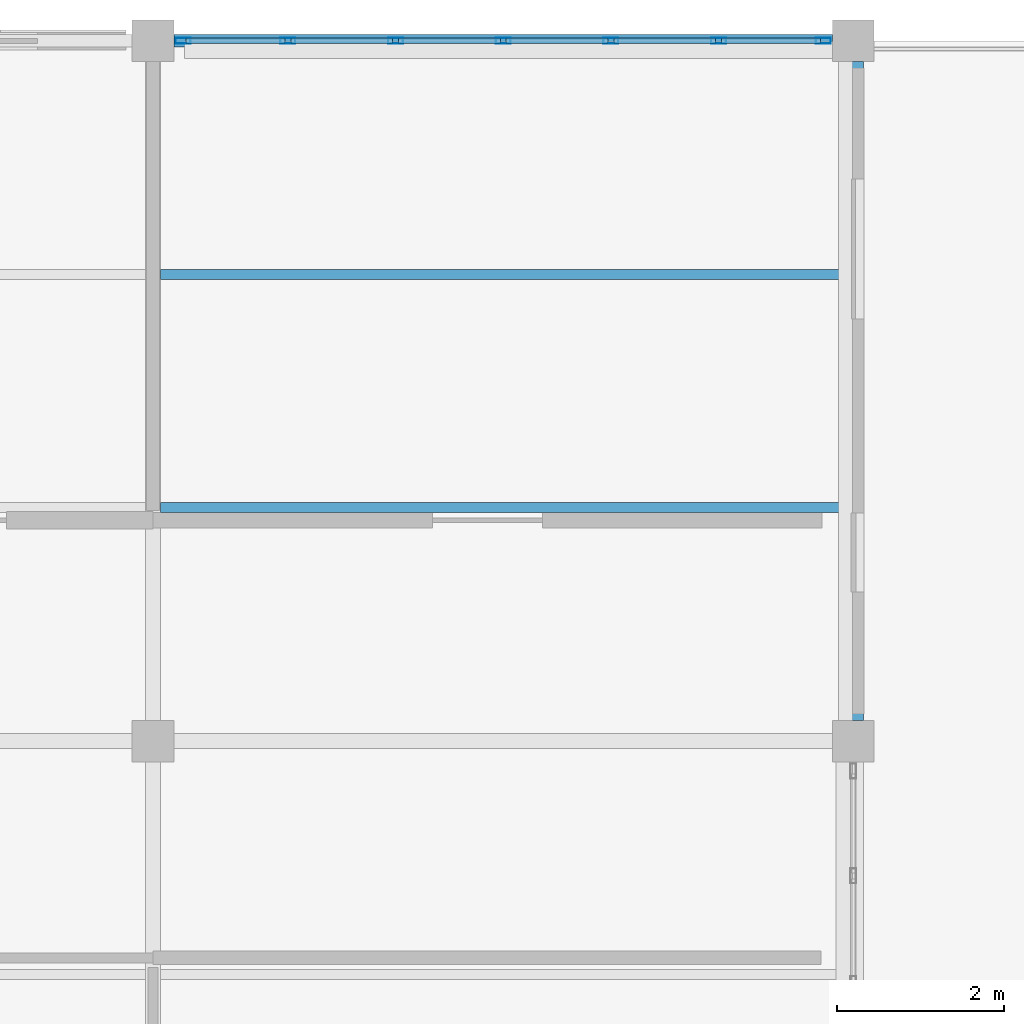
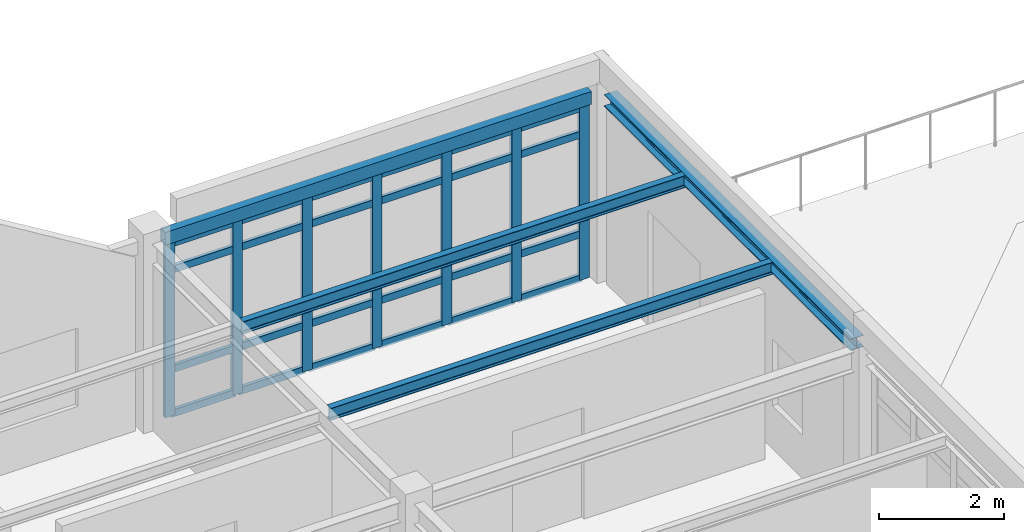
# One storey, part 26 of 45: 31 members, 4 beams, 1 element without a shape of its own.
"""IFC4 building model written with IfcOpenShell, lengths in metres."""

from ifc_helpers import new_model, si_unit, direction, frame, origin, origin_2d, place, context, subcontext, project, spatial, hollow_rectangle, i_section, extrude, material, layer, layer_set, material_profile, profile_set, type_object, element, aggregate, save


model = new_model("IFC4")

# Units and contexts
model_context = context("Model", 3, precision=1e-05, world=origin(), true_north=direction((0.0, 1.0)))
body_context = subcontext(model_context, "Body", "Model", "MODEL_VIEW")
ifc_project = project(units=[si_unit("LENGTHUNIT", "METRE"), si_unit("AREAUNIT", "SQUARE_METRE"), si_unit("VOLUMEUNIT", "CUBIC_METRE"), si_unit("PLANEANGLEUNIT", "RADIAN"), si_unit("MASSUNIT", "GRAM", prefix="KILO")], contexts=[model_context])

# Site, building, storey
site_placement = place(None, origin())
site = spatial("IfcSite", under=ifc_project, at=site_placement, CompositionType="ELEMENT")
building_placement = place(site_placement, origin())
building = spatial("IfcBuilding", under=site, at=building_placement, Name="Bramfleet General Hospital", CompositionType="ELEMENT")
storey_placement = place(building_placement, frame((0.0, 0.0, 30.300048828125)))
storey = spatial("IfcBuildingStorey", under=building, at=storey_placement, Name="L07", CompositionType="ELEMENT", Elevation=30.300048828125)

# Beams
ifc_material_1 = material(Name="Steel S355", Category="steel")
ifc_material_profile_1 = material_profile(ifc_material_1, i_section(OverallWidth=0.239990234375, OverallDepth=0.22998046875, WebThickness=0.007568359375, FlangeThickness=0.011962890625, FilletRadius=0.02099609375, at=origin_2d()), Name="HEA 240")
ifc_profile_set_1 = profile_set([ifc_material_profile_1], Name="Steel S355")
beam_type_1 = type_object("IfcBeamType", Name="BM-HEA240", PredefinedType="SPANDREL", material=ifc_profile_set_1)
beam_1_placement = place(storey_placement, frame((126.0, 109.449951171875, 3.544921875), z_axis=(0.0, 1.0, 0.0), x_axis=(-1.0, 0.0, 0.0)))
element("IfcBeam", 1, at=beam_1_placement, inside=storey, type_object=beam_type_1, Name="L07 Grid Beam Y 15-13", PredefinedType="SPANDREL", context=body_context, shape_type="SweptSolid", body=[
    extrude(i_section(OverallWidth=0.239990234375, OverallDepth=0.22998046875, WebThickness=0.007568359375, FlangeThickness=0.011962890625, FilletRadius=0.02099609375, at=origin_2d()), origin(), (0.0, 0.0, 1.0), 7.900146484375),
])
ifc_material_profile_2 = material_profile(ifc_material_1, i_section(OverallWidth=0.1201171875, OverallDepth=0.239990234375, WebThickness=0.006103515625, FlangeThickness=0.009765625, FilletRadius=0.014892578125, at=origin_2d()), Name="IPE 240")
ifc_profile_set_2 = profile_set([ifc_material_profile_2], Name="Steel S355")
beam_type_2 = type_object("IfcBeamType", Name="BM-IPE240", PredefinedType="JOIST", material=ifc_profile_set_2)
for number, where, z_axis, x_axis, name in (
    (2, (117.68994140625, 112.0, 3.5400390625), (1.0, 0.0, 0.0), (0.0, 1.0, 0.0), "L07 Secondary Joist 14-13-1"),
    (3, (117.68994140625, 114.800048828125, 3.5400390625), (1.0, 0.0, 0.0), (0.0, 1.0, 0.0), "L07 Secondary Joist 14-13-2"),
):
    element("IfcBeam", number, at=place(storey_placement, frame(where, z_axis=z_axis, x_axis=x_axis)), inside=storey, type_object=beam_type_2, Name=name, PredefinedType="JOIST", context=body_context, shape_type="SweptSolid", body=[
        extrude(i_section(OverallWidth=0.1201171875, OverallDepth=0.239990234375, WebThickness=0.006103515625, FlangeThickness=0.009765625, FilletRadius=0.014892578125, at=origin_2d()), origin(), (0.0, 0.0, 1.0), 8.18994140625),
    ])
ifc_material_profile_3 = material_profile(ifc_material_1, hollow_rectangle(XDim=0.14990234375, YDim=0.25, WallThickness=0.010009765625, at=origin_2d()), Name="RHS 250x150x10.0")
ifc_profile_set_3 = profile_set([ifc_material_profile_3], Name="Steel S355")
beam_type_3 = type_object("IfcBeamType", Name="BM-RHS250", PredefinedType="SPANDREL", material=ifc_profile_set_3)
beam_2_placement = place(storey_placement, frame((117.85009765625, 117.60009765625, 3.534912109375), z_axis=(1.0, 0.0, 0.0), x_axis=(0.0, 1.0, 0.0)))
element("IfcBeam", 4, at=beam_2_placement, inside=storey, type_object=beam_type_3, Name="L07 Grid Beam X 14-14", PredefinedType="SPANDREL", context=body_context, shape_type="SweptSolid", body=[
    extrude(hollow_rectangle(XDim=0.14990234375, YDim=0.25, WallThickness=0.010009765625, at=origin_2d()), origin(), (0.0, 0.0, 1.0), 7.89990234375),
])

# Curtain wall, members
ifc_material_2 = material(Name="Anodised aluminium and low-E triple glazing", Category="aluminium")
ifc_layer = layer(ifc_material_2, 0.179931640625, Name="CWT-CW-10")
ifc_layer_set = layer_set([ifc_layer], Name="Anodised aluminium and low-E triple glazing")
curtain_wall_type = type_object("IfcCurtainWallType", Name="CWT-CW-10", PredefinedType="USERDEFINED", material=ifc_layer_set)
curtain_wall_placement = place(storey_placement, origin())
curtain_wall = element("IfcCurtainWall", 5, at=curtain_wall_placement, inside=storey, type_object=curtain_wall_type, Name="L07 Curtain Wall 226", ObjectType="Stick curtain wall", PredefinedType="USERDEFINED")
ifc_material_3 = material(Name="Anodised aluminium EN AW-6060", Category="aluminium")
ifc_material_profile_4 = material_profile(ifc_material_3, hollow_rectangle(XDim=0.070068359375, YDim=0.179931640625, WallThickness=0.00390625, at=origin_2d()), Name="ALU 180x70x4.0")
ifc_profile_set_4 = profile_set([ifc_material_profile_4], Name="Anodised aluminium EN AW-6060")
member_type_1 = type_object("IfcMemberType", Name="CWM-ALU180", PredefinedType="MULLION", material=ifc_profile_set_4)
member_1_placement = place(storey_placement, frame((117.9599609375, 117.60009765625, 0.0), z_axis=(0.0, 0.0, 1.0), x_axis=(0.0, 1.0, 0.0)))
member_1 = element("IfcMember", 6, at=member_1_placement, type_object=member_type_1, Name="CW-10 mullion 1", PredefinedType="MULLION", context=body_context, shape_type="SweptSolid", body=[
    extrude(hollow_rectangle(XDim=0.070068359375, YDim=0.179931640625, WallThickness=0.00390625, at=origin_2d()), origin(), (0.0, 0.0, 1.0), 3.39990234375),
])
member_2_placement = place(storey_placement, frame((119.216552734375, 117.60009765625, 0.0), z_axis=(0.0, 0.0, 1.0), x_axis=(0.0, 1.0, 0.0)))
member_2 = element("IfcMember", 7, at=member_2_placement, type_object=member_type_1, Name="CW-10 mullion 2", PredefinedType="MULLION", context=body_context, shape_type="SweptSolid", body=[
    extrude(hollow_rectangle(XDim=0.070068359375, YDim=0.179931640625, WallThickness=0.00390625, at=origin_2d()), origin(), (0.0, 0.0, 1.0), 3.39990234375),
])
member_3_placement = place(storey_placement, frame((120.50830078125, 117.60009765625, 0.0), z_axis=(0.0, 0.0, 1.0), x_axis=(0.0, 1.0, 0.0)))
member_3 = element("IfcMember", 8, at=member_3_placement, type_object=member_type_1, Name="CW-10 mullion 3", PredefinedType="MULLION", context=body_context, shape_type="SweptSolid", body=[
    extrude(hollow_rectangle(XDim=0.070068359375, YDim=0.179931640625, WallThickness=0.00390625, at=origin_2d()), origin(), (0.0, 0.0, 1.0), 3.39990234375),
])
member_4_placement = place(storey_placement, frame((121.800048828125, 117.60009765625, 0.0), z_axis=(0.0, 0.0, 1.0), x_axis=(0.0, 1.0, 0.0)))
member_4 = element("IfcMember", 9, at=member_4_placement, type_object=member_type_1, Name="CW-10 mullion 4", PredefinedType="MULLION", context=body_context, shape_type="SweptSolid", body=[
    extrude(hollow_rectangle(XDim=0.070068359375, YDim=0.179931640625, WallThickness=0.00390625, at=origin_2d()), origin(), (0.0, 0.0, 1.0), 3.39990234375),
])
member_5_placement = place(storey_placement, frame((123.091552734375, 117.60009765625, 0.0), z_axis=(0.0, 0.0, 1.0), x_axis=(0.0, 1.0, 0.0)))
member_5 = element("IfcMember", 10, at=member_5_placement, type_object=member_type_1, Name="CW-10 mullion 5", PredefinedType="MULLION", context=body_context, shape_type="SweptSolid", body=[
    extrude(hollow_rectangle(XDim=0.070068359375, YDim=0.179931640625, WallThickness=0.00390625, at=origin_2d()), origin(), (0.0, 0.0, 1.0), 3.39990234375),
])
member_6_placement = place(storey_placement, frame((124.38330078125, 117.60009765625, 0.0), z_axis=(0.0, 0.0, 1.0), x_axis=(0.0, 1.0, 0.0)))
member_6 = element("IfcMember", 11, at=member_6_placement, type_object=member_type_1, Name="CW-10 mullion 6", PredefinedType="MULLION", context=body_context, shape_type="SweptSolid", body=[
    extrude(hollow_rectangle(XDim=0.070068359375, YDim=0.179931640625, WallThickness=0.00390625, at=origin_2d()), origin(), (0.0, 0.0, 1.0), 3.39990234375),
])
member_7_placement = place(storey_placement, frame((125.639892578125, 117.60009765625, 0.0), z_axis=(0.0, 0.0, 1.0), x_axis=(0.0, 1.0, 0.0)))
member_7 = element("IfcMember", 12, at=member_7_placement, type_object=member_type_1, Name="CW-10 mullion 7", PredefinedType="MULLION", context=body_context, shape_type="SweptSolid", body=[
    extrude(hollow_rectangle(XDim=0.070068359375, YDim=0.179931640625, WallThickness=0.00390625, at=origin_2d()), origin(), (0.0, 0.0, 1.0), 3.39990234375),
])
ifc_material_profile_5 = material_profile(ifc_material_3, hollow_rectangle(XDim=0.06494140625, YDim=0.139892578125, WallThickness=0.00390625, at=origin_2d()), Name="ALU 140x65x4.0")
ifc_profile_set_5 = profile_set([ifc_material_profile_5], Name="Anodised aluminium EN AW-6060")
member_type_2 = type_object("IfcMemberType", Name="CWT-ALU140", PredefinedType="USERDEFINED", material=ifc_profile_set_5)
member_8_placement = place(storey_placement, frame((117.9951171875, 117.60009765625, 0.032470703125), z_axis=(1.0, 0.0, 0.0), x_axis=(0.0, 1.0, 0.0)))
member_8 = element("IfcMember", 13, at=member_8_placement, type_object=member_type_2, Name="CW-10 transom 1.1", ObjectType="TRANSOM", PredefinedType="USERDEFINED", context=body_context, shape_type="SweptSolid", body=[
    extrude(hollow_rectangle(XDim=0.06494140625, YDim=0.139892578125, WallThickness=0.00390625, at=origin_2d()), origin(), (0.0, 0.0, 1.0), 1.1865234375),
])
member_9_placement = place(storey_placement, frame((117.9951171875, 117.60009765625, 0.89990234375), z_axis=(1.0, 0.0, 0.0), x_axis=(0.0, 1.0, 0.0)))
member_9 = element("IfcMember", 14, at=member_9_placement, type_object=member_type_2, Name="CW-10 transom 1.2", ObjectType="TRANSOM", PredefinedType="USERDEFINED", context=body_context, shape_type="SweptSolid", body=[
    extrude(hollow_rectangle(XDim=0.06494140625, YDim=0.139892578125, WallThickness=0.00390625, at=origin_2d()), origin(), (0.0, 0.0, 1.0), 1.1865234375),
])
member_10_placement = place(storey_placement, frame((117.9951171875, 117.60009765625, 2.849853515625), z_axis=(1.0, 0.0, 0.0), x_axis=(0.0, 1.0, 0.0)))
member_10 = element("IfcMember", 15, at=member_10_placement, type_object=member_type_2, Name="CW-10 transom 1.3", ObjectType="TRANSOM", PredefinedType="USERDEFINED", context=body_context, shape_type="SweptSolid", body=[
    extrude(hollow_rectangle(XDim=0.06494140625, YDim=0.139892578125, WallThickness=0.00390625, at=origin_2d()), origin(), (0.0, 0.0, 1.0), 1.1865234375),
])
member_11_placement = place(storey_placement, frame((117.9951171875, 117.60009765625, 3.367431640625), z_axis=(1.0, 0.0, 0.0), x_axis=(0.0, 1.0, 0.0)))
member_11 = element("IfcMember", 16, at=member_11_placement, type_object=member_type_2, Name="CW-10 transom 1.4", ObjectType="TRANSOM", PredefinedType="USERDEFINED", context=body_context, shape_type="SweptSolid", body=[
    extrude(hollow_rectangle(XDim=0.06494140625, YDim=0.139892578125, WallThickness=0.00390625, at=origin_2d()), origin(), (0.0, 0.0, 1.0), 1.1865234375),
])
member_12_placement = place(storey_placement, frame((119.251708984375, 117.60009765625, 0.032470703125), z_axis=(1.0, 0.0, 0.0), x_axis=(0.0, 1.0, 0.0)))
member_12 = element("IfcMember", 17, at=member_12_placement, type_object=member_type_2, Name="CW-10 transom 2.1", ObjectType="TRANSOM", PredefinedType="USERDEFINED", context=body_context, shape_type="SweptSolid", body=[
    extrude(hollow_rectangle(XDim=0.06494140625, YDim=0.139892578125, WallThickness=0.00390625, at=origin_2d()), origin(), (0.0, 0.0, 1.0), 1.2216796875),
])
member_13_placement = place(storey_placement, frame((119.251708984375, 117.60009765625, 0.89990234375), z_axis=(1.0, 0.0, 0.0), x_axis=(0.0, 1.0, 0.0)))
member_13 = element("IfcMember", 18, at=member_13_placement, type_object=member_type_2, Name="CW-10 transom 2.2", ObjectType="TRANSOM", PredefinedType="USERDEFINED", context=body_context, shape_type="SweptSolid", body=[
    extrude(hollow_rectangle(XDim=0.06494140625, YDim=0.139892578125, WallThickness=0.00390625, at=origin_2d()), origin(), (0.0, 0.0, 1.0), 1.2216796875),
])
member_14_placement = place(storey_placement, frame((119.251708984375, 117.60009765625, 2.849853515625), z_axis=(1.0, 0.0, 0.0), x_axis=(0.0, 1.0, 0.0)))
member_14 = element("IfcMember", 19, at=member_14_placement, type_object=member_type_2, Name="CW-10 transom 2.3", ObjectType="TRANSOM", PredefinedType="USERDEFINED", context=body_context, shape_type="SweptSolid", body=[
    extrude(hollow_rectangle(XDim=0.06494140625, YDim=0.139892578125, WallThickness=0.00390625, at=origin_2d()), origin(), (0.0, 0.0, 1.0), 1.2216796875),
])
member_15_placement = place(storey_placement, frame((119.251708984375, 117.60009765625, 3.367431640625), z_axis=(1.0, 0.0, 0.0), x_axis=(0.0, 1.0, 0.0)))
member_15 = element("IfcMember", 20, at=member_15_placement, type_object=member_type_2, Name="CW-10 transom 2.4", ObjectType="TRANSOM", PredefinedType="USERDEFINED", context=body_context, shape_type="SweptSolid", body=[
    extrude(hollow_rectangle(XDim=0.06494140625, YDim=0.139892578125, WallThickness=0.00390625, at=origin_2d()), origin(), (0.0, 0.0, 1.0), 1.2216796875),
])
member_16_placement = place(storey_placement, frame((120.543212890625, 117.60009765625, 0.032470703125), z_axis=(1.0, 0.0, 0.0), x_axis=(0.0, 1.0, 0.0)))
member_16 = element("IfcMember", 21, at=member_16_placement, type_object=member_type_2, Name="CW-10 transom 3.1", ObjectType="TRANSOM", PredefinedType="USERDEFINED", context=body_context, shape_type="SweptSolid", body=[
    extrude(hollow_rectangle(XDim=0.06494140625, YDim=0.139892578125, WallThickness=0.00390625, at=origin_2d()), origin(), (0.0, 0.0, 1.0), 1.2216796875),
])
member_17_placement = place(storey_placement, frame((120.543212890625, 117.60009765625, 0.89990234375), z_axis=(1.0, 0.0, 0.0), x_axis=(0.0, 1.0, 0.0)))
member_17 = element("IfcMember", 22, at=member_17_placement, type_object=member_type_2, Name="CW-10 transom 3.2", ObjectType="TRANSOM", PredefinedType="USERDEFINED", context=body_context, shape_type="SweptSolid", body=[
    extrude(hollow_rectangle(XDim=0.06494140625, YDim=0.139892578125, WallThickness=0.00390625, at=origin_2d()), origin(), (0.0, 0.0, 1.0), 1.2216796875),
])
member_18_placement = place(storey_placement, frame((120.543212890625, 117.60009765625, 2.849853515625), z_axis=(1.0, 0.0, 0.0), x_axis=(0.0, 1.0, 0.0)))
member_18 = element("IfcMember", 23, at=member_18_placement, type_object=member_type_2, Name="CW-10 transom 3.3", ObjectType="TRANSOM", PredefinedType="USERDEFINED", context=body_context, shape_type="SweptSolid", body=[
    extrude(hollow_rectangle(XDim=0.06494140625, YDim=0.139892578125, WallThickness=0.00390625, at=origin_2d()), origin(), (0.0, 0.0, 1.0), 1.2216796875),
])
member_19_placement = place(storey_placement, frame((120.543212890625, 117.60009765625, 3.367431640625), z_axis=(1.0, 0.0, 0.0), x_axis=(0.0, 1.0, 0.0)))
member_19 = element("IfcMember", 24, at=member_19_placement, type_object=member_type_2, Name="CW-10 transom 3.4", ObjectType="TRANSOM", PredefinedType="USERDEFINED", context=body_context, shape_type="SweptSolid", body=[
    extrude(hollow_rectangle(XDim=0.06494140625, YDim=0.139892578125, WallThickness=0.00390625, at=origin_2d()), origin(), (0.0, 0.0, 1.0), 1.2216796875),
])
member_20_placement = place(storey_placement, frame((121.8349609375, 117.60009765625, 0.032470703125), z_axis=(1.0, 0.0, 0.0), x_axis=(0.0, 1.0, 0.0)))
member_20 = element("IfcMember", 25, at=member_20_placement, type_object=member_type_2, Name="CW-10 transom 4.1", ObjectType="TRANSOM", PredefinedType="USERDEFINED", context=body_context, shape_type="SweptSolid", body=[
    extrude(hollow_rectangle(XDim=0.06494140625, YDim=0.139892578125, WallThickness=0.00390625, at=origin_2d()), origin(), (0.0, 0.0, 1.0), 1.2216796875),
])
member_21_placement = place(storey_placement, frame((121.8349609375, 117.60009765625, 0.89990234375), z_axis=(1.0, 0.0, 0.0), x_axis=(0.0, 1.0, 0.0)))
member_21 = element("IfcMember", 26, at=member_21_placement, type_object=member_type_2, Name="CW-10 transom 4.2", ObjectType="TRANSOM", PredefinedType="USERDEFINED", context=body_context, shape_type="SweptSolid", body=[
    extrude(hollow_rectangle(XDim=0.06494140625, YDim=0.139892578125, WallThickness=0.00390625, at=origin_2d()), origin(), (0.0, 0.0, 1.0), 1.2216796875),
])
member_22_placement = place(storey_placement, frame((121.8349609375, 117.60009765625, 2.849853515625), z_axis=(1.0, 0.0, 0.0), x_axis=(0.0, 1.0, 0.0)))
member_22 = element("IfcMember", 27, at=member_22_placement, type_object=member_type_2, Name="CW-10 transom 4.3", ObjectType="TRANSOM", PredefinedType="USERDEFINED", context=body_context, shape_type="SweptSolid", body=[
    extrude(hollow_rectangle(XDim=0.06494140625, YDim=0.139892578125, WallThickness=0.00390625, at=origin_2d()), origin(), (0.0, 0.0, 1.0), 1.2216796875),
])
member_23_placement = place(storey_placement, frame((121.8349609375, 117.60009765625, 3.367431640625), z_axis=(1.0, 0.0, 0.0), x_axis=(0.0, 1.0, 0.0)))
member_23 = element("IfcMember", 28, at=member_23_placement, type_object=member_type_2, Name="CW-10 transom 4.4", ObjectType="TRANSOM", PredefinedType="USERDEFINED", context=body_context, shape_type="SweptSolid", body=[
    extrude(hollow_rectangle(XDim=0.06494140625, YDim=0.139892578125, WallThickness=0.00390625, at=origin_2d()), origin(), (0.0, 0.0, 1.0), 1.2216796875),
])
member_24_placement = place(storey_placement, frame((123.126708984375, 117.60009765625, 0.032470703125), z_axis=(1.0, 0.0, 0.0), x_axis=(0.0, 1.0, 0.0)))
member_24 = element("IfcMember", 29, at=member_24_placement, type_object=member_type_2, Name="CW-10 transom 5.1", ObjectType="TRANSOM", PredefinedType="USERDEFINED", context=body_context, shape_type="SweptSolid", body=[
    extrude(hollow_rectangle(XDim=0.06494140625, YDim=0.139892578125, WallThickness=0.00390625, at=origin_2d()), origin(), (0.0, 0.0, 1.0), 1.2216796875),
])
member_25_placement = place(storey_placement, frame((123.126708984375, 117.60009765625, 0.89990234375), z_axis=(1.0, 0.0, 0.0), x_axis=(0.0, 1.0, 0.0)))
member_25 = element("IfcMember", 30, at=member_25_placement, type_object=member_type_2, Name="CW-10 transom 5.2", ObjectType="TRANSOM", PredefinedType="USERDEFINED", context=body_context, shape_type="SweptSolid", body=[
    extrude(hollow_rectangle(XDim=0.06494140625, YDim=0.139892578125, WallThickness=0.00390625, at=origin_2d()), origin(), (0.0, 0.0, 1.0), 1.2216796875),
])
member_26_placement = place(storey_placement, frame((123.126708984375, 117.60009765625, 2.849853515625), z_axis=(1.0, 0.0, 0.0), x_axis=(0.0, 1.0, 0.0)))
member_26 = element("IfcMember", 31, at=member_26_placement, type_object=member_type_2, Name="CW-10 transom 5.3", ObjectType="TRANSOM", PredefinedType="USERDEFINED", context=body_context, shape_type="SweptSolid", body=[
    extrude(hollow_rectangle(XDim=0.06494140625, YDim=0.139892578125, WallThickness=0.00390625, at=origin_2d()), origin(), (0.0, 0.0, 1.0), 1.2216796875),
])
member_27_placement = place(storey_placement, frame((123.126708984375, 117.60009765625, 3.367431640625), z_axis=(1.0, 0.0, 0.0), x_axis=(0.0, 1.0, 0.0)))
member_27 = element("IfcMember", 32, at=member_27_placement, type_object=member_type_2, Name="CW-10 transom 5.4", ObjectType="TRANSOM", PredefinedType="USERDEFINED", context=body_context, shape_type="SweptSolid", body=[
    extrude(hollow_rectangle(XDim=0.06494140625, YDim=0.139892578125, WallThickness=0.00390625, at=origin_2d()), origin(), (0.0, 0.0, 1.0), 1.2216796875),
])
member_28_placement = place(storey_placement, frame((124.418212890625, 117.60009765625, 0.032470703125), z_axis=(1.0, 0.0, 0.0), x_axis=(0.0, 1.0, 0.0)))
member_28 = element("IfcMember", 33, at=member_28_placement, type_object=member_type_2, Name="CW-10 transom 6.1", ObjectType="TRANSOM", PredefinedType="USERDEFINED", context=body_context, shape_type="SweptSolid", body=[
    extrude(hollow_rectangle(XDim=0.06494140625, YDim=0.139892578125, WallThickness=0.00390625, at=origin_2d()), origin(), (0.0, 0.0, 1.0), 1.186767578125),
])
member_29_placement = place(storey_placement, frame((124.418212890625, 117.60009765625, 0.89990234375), z_axis=(1.0, 0.0, 0.0), x_axis=(0.0, 1.0, 0.0)))
member_29 = element("IfcMember", 34, at=member_29_placement, type_object=member_type_2, Name="CW-10 transom 6.2", ObjectType="TRANSOM", PredefinedType="USERDEFINED", context=body_context, shape_type="SweptSolid", body=[
    extrude(hollow_rectangle(XDim=0.06494140625, YDim=0.139892578125, WallThickness=0.00390625, at=origin_2d()), origin(), (0.0, 0.0, 1.0), 1.186767578125),
])
member_30_placement = place(storey_placement, frame((124.418212890625, 117.60009765625, 2.849853515625), z_axis=(1.0, 0.0, 0.0), x_axis=(0.0, 1.0, 0.0)))
member_30 = element("IfcMember", 35, at=member_30_placement, type_object=member_type_2, Name="CW-10 transom 6.3", ObjectType="TRANSOM", PredefinedType="USERDEFINED", context=body_context, shape_type="SweptSolid", body=[
    extrude(hollow_rectangle(XDim=0.06494140625, YDim=0.139892578125, WallThickness=0.00390625, at=origin_2d()), origin(), (0.0, 0.0, 1.0), 1.186767578125),
])
member_31_placement = place(storey_placement, frame((124.418212890625, 117.60009765625, 3.367431640625), z_axis=(1.0, 0.0, 0.0), x_axis=(0.0, 1.0, 0.0)))
member_31 = element("IfcMember", 36, at=member_31_placement, type_object=member_type_2, Name="CW-10 transom 6.4", ObjectType="TRANSOM", PredefinedType="USERDEFINED", context=body_context, shape_type="SweptSolid", body=[
    extrude(hollow_rectangle(XDim=0.06494140625, YDim=0.139892578125, WallThickness=0.00390625, at=origin_2d()), origin(), (0.0, 0.0, 1.0), 1.186767578125),
])
aggregate(curtain_wall, [member_1, member_2, member_3, member_4, member_5, member_6, member_7, member_8, member_9, member_10, member_11, member_12, member_13, member_14, member_15, member_16, member_17, member_18, member_19, member_20, member_21, member_22, member_23, member_24, member_25, member_26, member_27, member_28, member_29, member_30, member_31])

save(model, "model.ifc")
